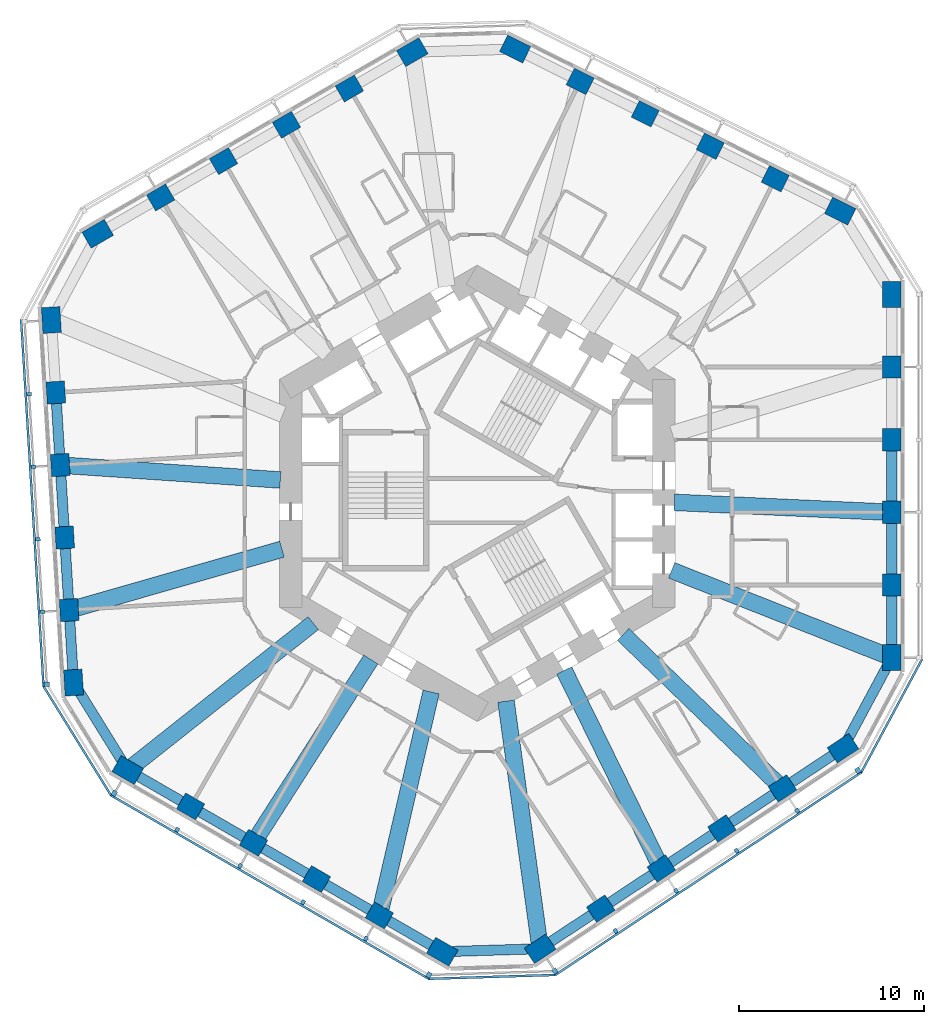
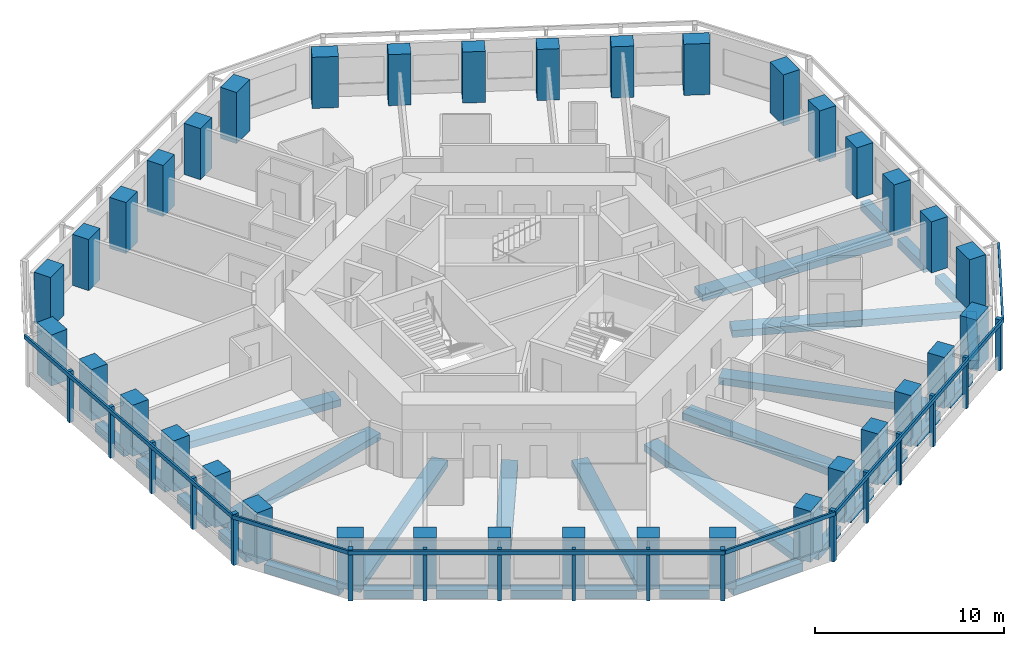
# One storey, part 1 of 12: 36 columns, 30 beams, 23 members, 6 elements without a shape of their own.
"""IFC4 building model written with IfcOpenShell, lengths in metres."""

from ifc_helpers import new_model, si_unit, direction, frame, origin, origin_2d, place, context, subcontext, project, spatial, rectangle, extrude, material, material_profile, profile_set, type_object, element, aggregate, save


model = new_model("IFC4")

# Units and contexts
model_context = context("Model", 3, precision=1e-05, world=origin(), true_north=direction((0.0, 1.0)))
body_context = subcontext(model_context, "Body", "Model", "MODEL_VIEW")
ifc_project = project(units=[si_unit("LENGTHUNIT", "METRE"), si_unit("AREAUNIT", "SQUARE_METRE"), si_unit("VOLUMEUNIT", "CUBIC_METRE"), si_unit("PLANEANGLEUNIT", "RADIAN"), si_unit("MASSUNIT", "GRAM", prefix="KILO")], contexts=[model_context])

# Site, building, storey
site_placement = place(None, origin())
site = spatial("IfcSite", under=ifc_project, at=site_placement, CompositionType="ELEMENT")
building_placement = place(site_placement, origin())
building = spatial("IfcBuilding", under=site, at=building_placement, Name="Vanh Sen Convention Tower", CompositionType="ELEMENT")
storey_placement = place(building_placement, frame((0.0, 0.0, 73.699951171875)))
storey = spatial("IfcBuildingStorey", under=building, at=storey_placement, Name="L16", CompositionType="ELEMENT", Elevation=73.699951171875)

# Columns
ifc_material_1 = material(Name="Concrete C80/95", Category="concrete")
ifc_material_profile_1 = material_profile(ifc_material_1, rectangle(XDim=1.199951171875, YDim=1.0, at=origin_2d()), Name="RC 1200X1000")
ifc_profile_set_1 = profile_set([ifc_material_profile_1], Name="Concrete C80/95")
column_type_1 = type_object("IfcColumnType", Name="Facade column 1200 x 1000 C80/95", PredefinedType="COLUMN", material=ifc_profile_set_1)
for number, where, z_axis, x_axis, name in (
    (1, (22.449951171875, -4.964599609375, 0.0), (0.0, 0.0, 1.0), (0.0, 1.0, 0.0), "Facade column 02 L16"),
    (2, (22.449951171875, -1.030029296875, 0.0), (0.0, 0.0, 1.0), (0.0, 1.0, 0.0), "Facade column 03 L16"),
    (3, (22.449951171875, 2.904541015625, 0.0), (0.0, 0.0, 1.0), (0.0, 1.0, 0.0), "Facade column 04 L16"),
    (4, (22.449951171875, 6.839111328125, 0.0), (0.0, 0.0, 1.0), (0.0, 1.0, 0.0), "Facade column 05 L16"),
    (5, (16.1376953125, 17.039794921875, 0.0), (0.0, 0.0, 1.0), (-0.894934361602, 0.44619781311, 0.0), "Facade column 08 L16"),
    (6, (12.616455078125, 18.79541015625, 0.0), (0.0, 0.0, 1.0), (-0.894934361602, 0.44619781311, 0.0), "Facade column 09 L16"),
    (7, (9.09521484375, 20.55078125, 0.0), (0.0, 0.0, 1.0), (-0.894934361602, 0.44619781311, 0.0), "Facade column 10 L16"),
    (8, (5.57421875, 22.306396484375, 0.0), (0.0, 0.0, 1.0), (-0.894934361602, 0.44619781311, 0.0), "Facade column 11 L16"),
    (9, (-6.925537109375, 21.924560546875, 0.0), (0.0, 0.0, 1.0), (-0.866025403784, -0.5, 0.0), "Facade column 14 L16"),
    (10, (-10.3330078125, 19.957275390625, 0.0), (0.0, 0.0, 1.0), (-0.866025403784, -0.5, 0.0), "Facade column 15 L16"),
    (11, (-13.740478515625, 17.989990234375, 0.0), (0.0, 0.0, 1.0), (-0.866025403784, -0.5, 0.0), "Facade column 16 L16"),
    (12, (-17.14794921875, 16.022705078125, 0.0), (0.0, 0.0, 1.0), (-0.866025403784, -0.5, 0.0), "Facade column 17 L16"),
    (13, (-22.82568359375, 5.455810546875, 0.0), (0.0, 0.0, 1.0), (0.061048539535, -0.998134798422, 0.0), "Facade column 20 L16"),
    (14, (-22.58544921875, 1.528564453125, 0.0), (0.0, 0.0, 1.0), (0.061048539535, -0.998134798422, 0.0), "Facade column 21 L16"),
    (15, (-22.34521484375, -2.398681640625, 0.0), (0.0, 0.0, 1.0), (0.061048539535, -0.998134798422, 0.0), "Facade column 22 L16"),
    (16, (-22.10498046875, -6.325927734375, 0.0), (0.0, 0.0, 1.0), (0.061048539535, -0.998134798422, 0.0), "Facade column 23 L16"),
    (17, (-15.5244140625, -16.9599609375, 0.0), (0.0, 0.0, 1.0), (0.866025403784, -0.5, 0.0), "Facade column 26 L16"),
    (18, (-12.1171875, -18.92724609375, 0.0), (0.0, 0.0, 1.0), (0.866025403784, -0.5, 0.0), "Facade column 27 L16"),
    (19, (-8.709716796875, -20.89453125, 0.0), (0.0, 0.0, 1.0), (0.866025403784, -0.5, 0.0), "Facade column 28 L16"),
    (20, (-5.302001953125, -22.86181640625, 0.0), (0.0, 0.0, 1.0), (0.866025403784, -0.5, 0.0), "Facade column 29 L16"),
    (21, (6.68798828125, -22.49560546875, 0.0), (0.0, 0.0, 1.0), (0.833885822067, 0.551936985312, 0.0), "Facade column 32 L16"),
    (22, (9.968994140625, -20.323974609375, 0.0), (0.0, 0.0, 1.0), (0.833885822067, 0.551936985312, 0.0), "Facade column 33 L16"),
    (23, (13.25, -18.152099609375, 0.0), (0.0, 0.0, 1.0), (0.833885822067, 0.551936985312, 0.0), "Facade column 34 L16"),
    (24, (16.531005859375, -15.980712890625, 0.0), (0.0, 0.0, 1.0), (0.833885822067, 0.551936985312, 0.0), "Facade column 35 L16"),
):
    element("IfcColumn", number, at=place(storey_placement, frame(where, z_axis=z_axis, x_axis=x_axis)), inside=storey, type_object=column_type_1, Name=name, PredefinedType="COLUMN", context=body_context, shape_type="SweptSolid", body=[
        extrude(rectangle(XDim=1.199951171875, YDim=1.0, at=origin_2d()), origin(), (0.0, 0.0, 1.0), 3.300048828125),
    ])
ifc_material_profile_2 = material_profile(ifc_material_1, rectangle(XDim=1.39990234375, YDim=1.0, at=origin_2d()), Name="RC 1400X1000")
ifc_profile_set_2 = profile_set([ifc_material_profile_2], Name="Concrete C80/95")
column_type_2 = type_object("IfcColumnType", Name="Facade corner column 1400 x 1000 C80/95", PredefinedType="COLUMN", material=ifc_profile_set_2)
for number, where, z_axis, x_axis, name in (
    (25, (22.449951171875, -8.899169921875, 0.0), (0.0, 0.0, 1.0), (0.0, 1.0, 0.0), "Facade column 01 L16"),
    (26, (22.449951171875, 10.773681640625, 0.0), (0.0, 0.0, 1.0), (0.0, 1.0, 0.0), "Facade column 06 L16"),
    (27, (19.658935546875, 15.2841796875, 0.0), (0.0, 0.0, 1.0), (-0.894934361602, 0.44619781311, 0.0), "Facade column 07 L16"),
    (28, (2.052978515625, 24.06201171875, 0.0), (0.0, 0.0, 1.0), (-0.894934361602, 0.44619781311, 0.0), "Facade column 12 L16"),
    (29, (-3.51806640625, 23.891845703125, 0.0), (0.0, 0.0, 1.0), (-0.866025403784, -0.5, 0.0), "Facade column 13 L16"),
    (30, (-20.555419921875, 14.055419921875, 0.0), (0.0, 0.0, 1.0), (-0.866025403784, -0.5, 0.0), "Facade column 18 L16"),
    (31, (-23.06591796875, 9.383056640625, 0.0), (0.0, 0.0, 1.0), (0.061048539535, -0.998134798422, 0.0), "Facade column 19 L16"),
    (32, (-21.86474609375, -10.253173828125, 0.0), (0.0, 0.0, 1.0), (0.061048539535, -0.998134798422, 0.0), "Facade column 24 L16"),
    (33, (-18.931884765625, -14.99267578125, 0.0), (0.0, 0.0, 1.0), (0.866025403784, -0.5, 0.0), "Facade column 25 L16"),
    (34, (-1.894775390625, -24.8291015625, 0.0), (0.0, 0.0, 1.0), (0.866025403784, -0.5, 0.0), "Facade column 30 L16"),
    (35, (3.406982421875, -24.6669921875, 0.0), (0.0, 0.0, 1.0), (0.833885822067, 0.551936985312, 0.0), "Facade column 31 L16"),
    (36, (19.81201171875, -13.808837890625, 0.0), (0.0, 0.0, 1.0), (0.833885822067, 0.551936985312, 0.0), "Facade column 36 L16"),
):
    element("IfcColumn", number, at=place(storey_placement, frame(where, z_axis=z_axis, x_axis=x_axis)), inside=storey, type_object=column_type_2, Name=name, PredefinedType="COLUMN", context=body_context, shape_type="SweptSolid", body=[
        extrude(rectangle(XDim=1.39990234375, YDim=1.0, at=origin_2d()), origin(), (0.0, 0.0, 1.0), 3.300048828125),
    ])

# Curtain wall, member
ifc_material_2 = material(Name="Concrete C50/60", Category="concrete")
curtain_wall_type = type_object("IfcCurtainWallType", Name="Outer skin hotel zone", PredefinedType="NOTDEFINED", material=ifc_material_2)
curtain_wall_1_placement = place(storey_placement, origin())
curtain_wall_1 = element("IfcCurtainWall", 37, at=curtain_wall_1_placement, inside=storey, type_object=curtain_wall_type, Name="OUTER SKIN W L16", PredefinedType="NOTDEFINED")
ifc_material_profile_3 = material_profile(ifc_material_2, rectangle(XDim=0.25, YDim=0.300048828125, at=origin_2d()), Name="Outer skin precast corner fin 250 x 300")
ifc_profile_set_3 = profile_set([ifc_material_profile_3], Name="Concrete C50/60")
member_type_1 = type_object("IfcMemberType", Name="Outer skin precast corner fin 250 x 300", PredefinedType="MULLION", material=ifc_profile_set_3)
member_1_placement = place(storey_placement, frame((-23.31201171875, -10.341796875, 0.0), z_axis=(0.0, 0.0, 1.0), x_axis=(0.061048539535, -0.998134798422, 0.0)))
member_1 = element("IfcMember", 38, at=member_1_placement, type_object=member_type_1, Name="OUTER SKIN CORNER FIN 6 W L16", PredefinedType="MULLION", context=body_context, shape_type="SweptSolid", body=[
    extrude(rectangle(XDim=0.25, YDim=0.300048828125, at=origin_2d()), origin(), (0.0, 0.0, 1.0), 3.300048828125),
])

# Curtain wall, members
curtain_wall_2_placement = place(storey_placement, origin())
curtain_wall_2 = element("IfcCurtainWall", 39, at=curtain_wall_2_placement, inside=storey, type_object=curtain_wall_type, Name="OUTER SKIN SW L16", PredefinedType="NOTDEFINED")
member_2_placement = place(storey_placement, frame((-19.656982421875, -16.248291015625, 0.0), z_axis=(0.0, 0.0, 1.0), x_axis=(0.866025403784, -0.5, 0.0)))
member_2 = element("IfcMember", 40, at=member_2_placement, type_object=member_type_1, Name="OUTER SKIN CORNER FIN 1 SW L16", PredefinedType="MULLION", context=body_context, shape_type="SweptSolid", body=[
    extrude(rectangle(XDim=0.25, YDim=0.300048828125, at=origin_2d()), origin(), (0.0, 0.0, 1.0), 3.300048828125),
])
member_3_placement = place(storey_placement, frame((-2.61962890625, -26.084716796875, 0.0), z_axis=(0.0, 0.0, 1.0), x_axis=(0.866025403784, -0.5, 0.0)))
member_3 = element("IfcMember", 41, at=member_3_placement, type_object=member_type_1, Name="OUTER SKIN CORNER FIN 6 SW L16", PredefinedType="MULLION", context=body_context, shape_type="SweptSolid", body=[
    extrude(rectangle(XDim=0.25, YDim=0.300048828125, at=origin_2d()), origin(), (0.0, 0.0, 1.0), 3.300048828125),
])

curtain_wall_3_placement = place(storey_placement, origin())
curtain_wall_3 = element("IfcCurtainWall", 42, at=curtain_wall_3_placement, inside=storey, type_object=curtain_wall_type, Name="OUTER SKIN SE L16", PredefinedType="NOTDEFINED")
member_4_placement = place(storey_placement, frame((4.207275390625, -25.876220703125, 0.0), z_axis=(0.0, 0.0, 1.0), x_axis=(0.833885822067, 0.551936985312, 0.0)))
member_4 = element("IfcMember", 43, at=member_4_placement, type_object=member_type_1, Name="OUTER SKIN CORNER FIN 1 SE L16", PredefinedType="MULLION", context=body_context, shape_type="SweptSolid", body=[
    extrude(rectangle(XDim=0.25, YDim=0.300048828125, at=origin_2d()), origin(), (0.0, 0.0, 1.0), 3.300048828125),
])
member_5_placement = place(storey_placement, frame((20.6123046875, -15.01806640625, 0.0), z_axis=(0.0, 0.0, 1.0), x_axis=(0.833885822067, 0.551936985312, 0.0)))
member_5 = element("IfcMember", 44, at=member_5_placement, type_object=member_type_1, Name="OUTER SKIN CORNER FIN 6 SE L16", PredefinedType="MULLION", context=body_context, shape_type="SweptSolid", body=[
    extrude(rectangle(XDim=0.25, YDim=0.300048828125, at=origin_2d()), origin(), (0.0, 0.0, 1.0), 3.300048828125),
])

# Member
ifc_material_profile_4 = material_profile(ifc_material_2, rectangle(XDim=0.199951171875, YDim=0.25, at=origin_2d()), Name="Outer skin precast fin 200 x 250")
ifc_profile_set_4 = profile_set([ifc_material_profile_4], Name="Concrete C50/60")
member_type_2 = type_object("IfcMemberType", Name="Outer skin precast fin 200 x 250", PredefinedType="MULLION", material=ifc_profile_set_4)
member_6_placement = place(storey_placement, frame((-24.27294921875, 5.3671875, 0.0), z_axis=(0.0, 0.0, 1.0), x_axis=(0.061048539535, -0.998134798422, 0.0)))
member_6 = element("IfcMember", 45, at=member_6_placement, type_object=member_type_2, Name="OUTER SKIN fin 2 W L16", PredefinedType="MULLION", context=body_context, shape_type="SweptSolid", body=[
    extrude(rectangle(XDim=0.199951171875, YDim=0.25, at=origin_2d()), origin(), (0.0, 0.0, 1.0), 3.300048828125),
])

member_7_placement = place(storey_placement, frame((-24.03271484375, 1.440185546875, 0.0), z_axis=(0.0, 0.0, 1.0), x_axis=(0.061048539535, -0.998134798422, 0.0)))
member_7 = element("IfcMember", 46, at=member_7_placement, type_object=member_type_2, Name="OUTER SKIN fin 3 W L16", PredefinedType="MULLION", context=body_context, shape_type="SweptSolid", body=[
    extrude(rectangle(XDim=0.199951171875, YDim=0.25, at=origin_2d()), origin(), (0.0, 0.0, 1.0), 3.300048828125),
])

member_8_placement = place(storey_placement, frame((-23.79248046875, -2.4873046875, 0.0), z_axis=(0.0, 0.0, 1.0), x_axis=(0.061048539535, -0.998134798422, 0.0)))
member_8 = element("IfcMember", 47, at=member_8_placement, type_object=member_type_2, Name="OUTER SKIN fin 4 W L16", PredefinedType="MULLION", context=body_context, shape_type="SweptSolid", body=[
    extrude(rectangle(XDim=0.199951171875, YDim=0.25, at=origin_2d()), origin(), (0.0, 0.0, 1.0), 3.300048828125),
])

member_9_placement = place(storey_placement, frame((-23.55224609375, -6.414306640625, 0.0), z_axis=(0.0, 0.0, 1.0), x_axis=(0.061048539535, -0.998134798422, 0.0)))
member_9 = element("IfcMember", 48, at=member_9_placement, type_object=member_type_2, Name="OUTER SKIN fin 5 W L16", PredefinedType="MULLION", context=body_context, shape_type="SweptSolid", body=[
    extrude(rectangle(XDim=0.199951171875, YDim=0.25, at=origin_2d()), origin(), (0.0, 0.0, 1.0), 3.300048828125),
])

member_10_placement = place(storey_placement, frame((-16.24951171875, -18.2158203125, 0.0), z_axis=(0.0, 0.0, 1.0), x_axis=(0.866025403784, -0.5, 0.0)))
member_10 = element("IfcMember", 49, at=member_10_placement, type_object=member_type_2, Name="OUTER SKIN fin 2 SW L16", PredefinedType="MULLION", context=body_context, shape_type="SweptSolid", body=[
    extrude(rectangle(XDim=0.199951171875, YDim=0.25, at=origin_2d()), origin(), (0.0, 0.0, 1.0), 3.300048828125),
])

member_11_placement = place(storey_placement, frame((-12.842041015625, -20.182861328125, 0.0), z_axis=(0.0, 0.0, 1.0), x_axis=(0.866025403784, -0.5, 0.0)))
member_11 = element("IfcMember", 50, at=member_11_placement, type_object=member_type_2, Name="OUTER SKIN fin 3 SW L16", PredefinedType="MULLION", context=body_context, shape_type="SweptSolid", body=[
    extrude(rectangle(XDim=0.199951171875, YDim=0.25, at=origin_2d()), origin(), (0.0, 0.0, 1.0), 3.300048828125),
])

member_12_placement = place(storey_placement, frame((-9.4345703125, -22.150146484375, 0.0), z_axis=(0.0, 0.0, 1.0), x_axis=(0.866025403784, -0.5, 0.0)))
member_12 = element("IfcMember", 51, at=member_12_placement, type_object=member_type_2, Name="OUTER SKIN fin 4 SW L16", PredefinedType="MULLION", context=body_context, shape_type="SweptSolid", body=[
    extrude(rectangle(XDim=0.199951171875, YDim=0.25, at=origin_2d()), origin(), (0.0, 0.0, 1.0), 3.300048828125),
])

member_13_placement = place(storey_placement, frame((-6.027099609375, -24.117431640625, 0.0), z_axis=(0.0, 0.0, 1.0), x_axis=(0.866025403784, -0.5, 0.0)))
member_13 = element("IfcMember", 52, at=member_13_placement, type_object=member_type_2, Name="OUTER SKIN fin 5 SW L16", PredefinedType="MULLION", context=body_context, shape_type="SweptSolid", body=[
    extrude(rectangle(XDim=0.199951171875, YDim=0.25, at=origin_2d()), origin(), (0.0, 0.0, 1.0), 3.300048828125),
])

member_14_placement = place(storey_placement, frame((7.48828125, -23.70458984375, 0.0), z_axis=(0.0, 0.0, 1.0), x_axis=(0.833885822067, 0.551936985312, 0.0)))
member_14 = element("IfcMember", 53, at=member_14_placement, type_object=member_type_2, Name="OUTER SKIN fin 2 SE L16", PredefinedType="MULLION", context=body_context, shape_type="SweptSolid", body=[
    extrude(rectangle(XDim=0.199951171875, YDim=0.25, at=origin_2d()), origin(), (0.0, 0.0, 1.0), 3.300048828125),
])

member_15_placement = place(storey_placement, frame((10.769287109375, -21.532958984375, 0.0), z_axis=(0.0, 0.0, 1.0), x_axis=(0.833885822067, 0.551936985312, 0.0)))
member_15 = element("IfcMember", 54, at=member_15_placement, type_object=member_type_2, Name="OUTER SKIN fin 3 SE L16", PredefinedType="MULLION", context=body_context, shape_type="SweptSolid", body=[
    extrude(rectangle(XDim=0.199951171875, YDim=0.25, at=origin_2d()), origin(), (0.0, 0.0, 1.0), 3.300048828125),
])

member_16_placement = place(storey_placement, frame((14.05029296875, -19.361328125, 0.0), z_axis=(0.0, 0.0, 1.0), x_axis=(0.833885822067, 0.551936985312, 0.0)))
member_16 = element("IfcMember", 55, at=member_16_placement, type_object=member_type_2, Name="OUTER SKIN fin 4 SE L16", PredefinedType="MULLION", context=body_context, shape_type="SweptSolid", body=[
    extrude(rectangle(XDim=0.199951171875, YDim=0.25, at=origin_2d()), origin(), (0.0, 0.0, 1.0), 3.300048828125),
])

member_17_placement = place(storey_placement, frame((17.331298828125, -17.189697265625, 0.0), z_axis=(0.0, 0.0, 1.0), x_axis=(0.833885822067, 0.551936985312, 0.0)))
member_17 = element("IfcMember", 56, at=member_17_placement, type_object=member_type_2, Name="OUTER SKIN fin 5 SE L16", PredefinedType="MULLION", context=body_context, shape_type="SweptSolid", body=[
    extrude(rectangle(XDim=0.199951171875, YDim=0.25, at=origin_2d()), origin(), (0.0, 0.0, 1.0), 3.300048828125),
])

ifc_material_profile_5 = material_profile(ifc_material_2, rectangle(XDim=0.1201171875, YDim=0.25, at=origin_2d()), Name="Outer skin precast spandrel band 250 x 120")
ifc_profile_set_5 = profile_set([ifc_material_profile_5], Name="Concrete C50/60")
member_type_3 = type_object("IfcMemberType", Name="Outer skin precast spandrel band 250 x 120", PredefinedType="USERDEFINED", material=ifc_profile_set_5)
member_18_placement = place(storey_placement, frame((-24.705322265625, 9.408203125, 3.175048828125), z_axis=(0.061050017989, -0.998134707995, 0.0), x_axis=(0.998134707995, 0.061050017989, 0.0)))
member_18 = element("IfcMember", 57, at=member_18_placement, type_object=member_type_3, Name="OUTER SKIN spandrel band W L16", ObjectType="TRANSOM", PredefinedType="USERDEFINED", context=body_context, shape_type="SweptSolid", body=[
    extrude(rectangle(XDim=0.1201171875, YDim=0.25, at=origin_2d()), origin(), (0.0, 0.0, 1.0), 19.923095703125),
])

aggregate(curtain_wall_1, [member_6, member_7, member_8, member_9, member_1, member_18])

# Curtain wall, member
curtain_wall_4_placement = place(storey_placement, origin())
curtain_wall_4 = element("IfcCurtainWall", 58, at=curtain_wall_4_placement, inside=storey, type_object=curtain_wall_type, Name="OUTER SKIN CH4 L16", PredefinedType="NOTDEFINED")
member_19_placement = place(storey_placement, frame((-23.49072265625, -10.4521484375, 3.175048828125), z_axis=(0.526196095141, -0.850363257354, 0.0), x_axis=(0.850363257354, 0.526196095141, 0.0)))
member_19 = element("IfcMember", 59, at=member_19_placement, type_object=member_type_3, Name="OUTER SKIN spandrel band CH4 L16", ObjectType="TRANSOM", PredefinedType="USERDEFINED", context=body_context, shape_type="SweptSolid", body=[
    extrude(rectangle(XDim=0.1201171875, YDim=0.25, at=origin_2d()), origin(), (0.0, 0.0, 1.0), 6.946044921875),
])
aggregate(curtain_wall_4, [member_19])

# Member
member_20_placement = place(storey_placement, frame((-19.85791015625, -16.34619140625, 3.175048828125), z_axis=(0.866028047459, -0.499995420993, 0.0), x_axis=(0.499995420993, 0.866028047459, 0.0)))
member_20 = element("IfcMember", 60, at=member_20_placement, type_object=member_type_3, Name="OUTER SKIN spandrel band SW L16", ObjectType="TRANSOM", PredefinedType="USERDEFINED", context=body_context, shape_type="SweptSolid", body=[
    extrude(rectangle(XDim=0.1201171875, YDim=0.25, at=origin_2d()), origin(), (0.0, 0.0, 1.0), 19.923095703125),
])

aggregate(curtain_wall_2, [member_2, member_10, member_11, member_12, member_13, member_3, member_20])

# Curtain wall, member
curtain_wall_5_placement = place(storey_placement, origin())
curtain_wall_5 = element("IfcCurtainWall", 61, at=curtain_wall_5_placement, inside=storey, type_object=curtain_wall_type, Name="OUTER SKIN CH5 L16", PredefinedType="NOTDEFINED")
member_21_placement = place(storey_placement, frame((-2.61328125, -26.294677734375, 3.175048828125), z_axis=(0.99953396928, 0.030526124156, 0.0), x_axis=(-0.030526124156, 0.99953396928, 0.0)))
member_21 = element("IfcMember", 62, at=member_21_placement, type_object=member_type_3, Name="OUTER SKIN spandrel band CH5 L16", ObjectType="TRANSOM", PredefinedType="USERDEFINED", context=body_context, shape_type="SweptSolid", body=[
    extrude(rectangle(XDim=0.1201171875, YDim=0.25, at=origin_2d()), origin(), (0.0, 0.0, 1.0), 6.830078125),
])
aggregate(curtain_wall_5, [member_21])

# Member
member_22_placement = place(storey_placement, frame((4.205078125, -26.099609375, 3.175048828125), z_axis=(0.833883851182, 0.551939962984, 0.0), x_axis=(-0.551939962984, 0.833883851182, 0.0)))
member_22 = element("IfcMember", 63, at=member_22_placement, type_object=member_type_3, Name="OUTER SKIN spandrel band SE L16", ObjectType="TRANSOM", PredefinedType="USERDEFINED", context=body_context, shape_type="SweptSolid", body=[
    extrude(rectangle(XDim=0.1201171875, YDim=0.25, at=origin_2d()), origin(), (0.0, 0.0, 1.0), 19.923095703125),
])

aggregate(curtain_wall_3, [member_4, member_14, member_15, member_16, member_17, member_5, member_22])

# Curtain wall, member
curtain_wall_6_placement = place(storey_placement, origin())
curtain_wall_6 = element("IfcCurtainWall", 64, at=curtain_wall_6_placement, inside=storey, type_object=curtain_wall_type, Name="OUTER SKIN CH6 L16", PredefinedType="NOTDEFINED")
member_23_placement = place(storey_placement, frame((20.797119140625, -15.117431640625, 3.175048828125), z_axis=(0.473324148816, 0.880888330123, 0.0), x_axis=(-0.880888330123, 0.473324148816, 0.0)))
member_23 = element("IfcMember", 65, at=member_23_placement, type_object=member_type_3, Name="OUTER SKIN spandrel band CH6 L16", ObjectType="TRANSOM", PredefinedType="USERDEFINED", context=body_context, shape_type="SweptSolid", body=[
    extrude(rectangle(XDim=0.1201171875, YDim=0.25, at=origin_2d()), origin(), (0.0, 0.0, 1.0), 6.9462890625),
])
aggregate(curtain_wall_6, [member_23])

# Beams
ifc_material_3 = material(Name="Concrete C50/60", Category="concrete")
ifc_material_profile_6 = material_profile(ifc_material_3, rectangle(XDim=0.89990234375, YDim=0.449951171875, at=origin_2d()), Name="RC 900X450")
ifc_profile_set_6 = profile_set([ifc_material_profile_6], Name="Concrete C50/60")
beam_type_1 = type_object("IfcBeamType", Name="Radial floor beam 900 x 450", PredefinedType="BEAM", material=ifc_profile_set_6)
beam_1_placement = place(storey_placement, frame((22.12060546875, -8.7685546875, -0.474853515625), z_axis=(-0.929625441153, 0.368505819713, 0.0), x_axis=(-0.368505819713, -0.929625441153, 0.0)))
element("IfcBeam", 66, at=beam_1_placement, inside=storey, type_object=beam_type_1, Name="Radial beam 01 L16", PredefinedType="BEAM", context=body_context, shape_type="SweptSolid", body=[
    extrude(rectangle(XDim=0.89990234375, YDim=0.449951171875, at=origin_2d()), origin(), (0.0, 0.0, 1.0), 12.468505859375),
])
beam_2_placement = place(storey_placement, frame((21.9755859375, -1.00830078125, -0.474853515625), z_axis=(-0.998948959247, 0.045836413684, 0.0), x_axis=(-0.045836413684, -0.998948959247, 0.0)))
element("IfcBeam", 67, at=beam_2_placement, inside=storey, type_object=beam_type_1, Name="Radial beam 02 L16", PredefinedType="BEAM", context=body_context, shape_type="SweptSolid", body=[
    extrude(rectangle(XDim=0.89990234375, YDim=0.449951171875, at=origin_2d()), origin(), (0.0, 0.0, 1.0), 11.313232421875),
])
beam_3_placement = place(storey_placement, frame((-22.1455078125, 1.498779296875, -0.474853515625), z_axis=(0.997717146338, -0.067531443814, 0.0), x_axis=(0.067531443814, 0.997717146338, 0.0)))
element("IfcBeam", 68, at=beam_3_placement, inside=storey, type_object=beam_type_1, Name="Radial beam 11 L16", PredefinedType="BEAM", context=body_context, shape_type="SweptSolid", body=[
    extrude(rectangle(XDim=0.89990234375, YDim=0.449951171875, at=origin_2d()), origin(), (0.0, 0.0, 1.0), 11.50732421875),
])
beam_4_placement = place(storey_placement, frame((-21.713134765625, -6.2138671875, -0.474853515625), z_axis=(0.96140779783, 0.27512732738, 0.0), x_axis=(-0.27512732738, 0.96140779783, 0.0)))
element("IfcBeam", 69, at=beam_4_placement, inside=storey, type_object=beam_type_1, Name="Radial beam 12 L16", PredefinedType="BEAM", context=body_context, shape_type="SweptSolid", body=[
    extrude(rectangle(XDim=0.89990234375, YDim=0.449951171875, at=origin_2d()), origin(), (0.0, 0.0, 1.0), 11.589111328125),
])
beam_5_placement = place(storey_placement, frame((-18.654052734375, -14.772705078125, -0.474853515625), z_axis=(0.783950127039, 0.620823806177, 0.0), x_axis=(-0.620823806177, 0.783950127039, 0.0)))
element("IfcBeam", 70, at=beam_5_placement, inside=storey, type_object=beam_type_1, Name="Radial beam 13 L16", PredefinedType="BEAM", context=body_context, shape_type="SweptSolid", body=[
    extrude(rectangle(XDim=0.89990234375, YDim=0.449951171875, at=origin_2d()), origin(), (0.0, 0.0, 1.0), 12.468505859375),
])
beam_6_placement = place(storey_placement, frame((-11.861083984375, -18.52734375, -0.474853515625), z_axis=(0.539166370538, 0.842199278604, 0.0), x_axis=(-0.842199278604, 0.539166370538, 0.0)))
element("IfcBeam", 71, at=beam_6_placement, inside=storey, type_object=beam_type_1, Name="Radial beam 14 L16", PredefinedType="BEAM", context=body_context, shape_type="SweptSolid", body=[
    extrude(rectangle(XDim=0.89990234375, YDim=0.449951171875, at=origin_2d()), origin(), (0.0, 0.0, 1.0), 11.31298828125),
])
beam_7_placement = place(storey_placement, frame((-5.216064453125, -22.4912109375, -0.474853515625), z_axis=(0.225903026676, 0.974149794713, 0.0), x_axis=(-0.974149794713, 0.225903026676, 0.0)))
element("IfcBeam", 72, at=beam_7_placement, inside=storey, type_object=beam_type_1, Name="Radial beam 15 L16", PredefinedType="BEAM", context=body_context, shape_type="SweptSolid", body=[
    extrude(rectangle(XDim=0.89990234375, YDim=0.449951171875, at=origin_2d()), origin(), (0.0, 0.0, 1.0), 12.044677734375),
])
beam_8_placement = place(storey_placement, frame((3.361328125, -24.336669921875, -0.474853515625), z_axis=(-0.13682259219, 0.990595567457, 0.0), x_axis=(-0.990595567457, -0.13682259219, 0.0)))
element("IfcBeam", 73, at=beam_8_placement, inside=storey, type_object=beam_type_1, Name="Radial beam 16 L16", PredefinedType="BEAM", context=body_context, shape_type="SweptSolid", body=[
    extrude(rectangle(XDim=0.89990234375, YDim=0.449951171875, at=origin_2d()), origin(), (0.0, 0.0, 1.0), 13.204345703125),
])
beam_9_placement = place(storey_placement, frame((9.774658203125, -19.927978515625, -0.474853515625), z_axis=(-0.440368849839, 0.897816950214, 0.0), x_axis=(-0.897816950214, -0.440368849839, 0.0)))
element("IfcBeam", 74, at=beam_9_placement, inside=storey, type_object=beam_type_1, Name="Radial beam 17 L16", PredefinedType="BEAM", context=body_context, shape_type="SweptSolid", body=[
    extrude(rectangle(XDim=0.89990234375, YDim=0.449951171875, at=origin_2d()), origin(), (0.0, 0.0, 1.0), 11.507080078125),
])
beam_10_placement = place(storey_placement, frame((16.23779296875, -15.697265625, -0.474853515625), z_axis=(-0.71897118158, 0.69503988379, 0.0), x_axis=(-0.69503988379, -0.71897118158, 0.0)))
element("IfcBeam", 75, at=beam_10_placement, inside=storey, type_object=beam_type_1, Name="Radial beam 18 L16", PredefinedType="BEAM", context=body_context, shape_type="SweptSolid", body=[
    extrude(rectangle(XDim=0.89990234375, YDim=0.449951171875, at=origin_2d()), origin(), (0.0, 0.0, 1.0), 11.589111328125),
])
ifc_material_profile_7 = material_profile(ifc_material_3, rectangle(XDim=0.550048828125, YDim=0.550048828125, at=origin_2d()), Name="RC 550X550")
ifc_profile_set_7 = profile_set([ifc_material_profile_7], Name="Concrete C50/60")
beam_type_2 = type_object("IfcBeamType", Name="Spandrel beam 550 x 550", PredefinedType="SPANDREL", material=ifc_profile_set_7)
beam_11_placement = place(storey_placement, frame((22.449951171875, -8.2041015625, -0.52490234375), z_axis=(0.0, 1.0, 0.0), x_axis=(-1.0, 0.0, 0.0)))
element("IfcBeam", 76, at=beam_11_placement, inside=storey, type_object=beam_type_2, Name="Spandrel beam 01 L16", PredefinedType="SPANDREL", context=body_context, shape_type="SweptSolid", body=[
    extrude(rectangle(XDim=0.550048828125, YDim=0.550048828125, at=origin_2d()), origin(), (0.0, 0.0, 1.0), 2.64453125),
])
for number, where, z_axis, x_axis, name in (
    (77, (22.449951171875, -4.36962890625, -0.52490234375), (0.0, 1.0, 0.0), (-1.0, 0.0, 0.0), "Spandrel beam 02 L16"),
    (78, (22.449951171875, -0.43505859375, -0.52490234375), (0.0, 1.0, 0.0), (-1.0, 0.0, 0.0), "Spandrel beam 03 L16"),
):
    element("IfcBeam", number, at=place(storey_placement, frame(where, z_axis=z_axis, x_axis=x_axis)), inside=storey, type_object=beam_type_2, Name=name, PredefinedType="SPANDREL", context=body_context, shape_type="SweptSolid", body=[
        extrude(rectangle(XDim=0.550048828125, YDim=0.550048828125, at=origin_2d()), origin(), (0.0, 0.0, 1.0), 2.74462890625),
    ])
beam_12_placement = place(storey_placement, frame((-22.789306640625, 4.86181640625, -0.52490234375), z_axis=(0.061115489467, -0.998130701335, 0.0), x_axis=(0.998130701335, 0.061115489467, 0.0)))
element("IfcBeam", 79, at=beam_12_placement, inside=storey, type_object=beam_type_2, Name="Spandrel beam 20 L16", PredefinedType="SPANDREL", context=body_context, shape_type="SweptSolid", body=[
    extrude(rectangle(XDim=0.550048828125, YDim=0.550048828125, at=origin_2d()), origin(), (0.0, 0.0, 1.0), 2.744384765625),
])
beam_13_placement = place(storey_placement, frame((-22.549072265625, 0.934814453125, -0.52490234375), z_axis=(0.061021442686, -0.998136455367, 0.0), x_axis=(0.998136455367, 0.061021442686, 0.0)))
element("IfcBeam", 80, at=beam_13_placement, inside=storey, type_object=beam_type_2, Name="Spandrel beam 21 L16", PredefinedType="SPANDREL", context=body_context, shape_type="SweptSolid", body=[
    extrude(rectangle(XDim=0.550048828125, YDim=0.550048828125, at=origin_2d()), origin(), (0.0, 0.0, 1.0), 2.74462890625),
])
beam_14_placement = place(storey_placement, frame((-22.308837890625, -2.99267578125, -0.52490234375), z_axis=(0.061026861063, -0.998136124098, 0.0), x_axis=(0.998136124098, 0.061026861063, 0.0)))
element("IfcBeam", 81, at=beam_14_placement, inside=storey, type_object=beam_type_2, Name="Spandrel beam 22 L16", PredefinedType="SPANDREL", context=body_context, shape_type="SweptSolid", body=[
    extrude(rectangle(XDim=0.550048828125, YDim=0.550048828125, at=origin_2d()), origin(), (0.0, 0.0, 1.0), 2.744384765625),
])
beam_15_placement = place(storey_placement, frame((-22.068603515625, -6.919921875, -0.52490234375), z_axis=(0.061021844318, -0.998136430813, 0.0), x_axis=(0.998136430813, 0.061021844318, 0.0)))
element("IfcBeam", 82, at=beam_15_placement, inside=storey, type_object=beam_type_2, Name="Spandrel beam 23 L16", PredefinedType="SPANDREL", context=body_context, shape_type="SweptSolid", body=[
    extrude(rectangle(XDim=0.550048828125, YDim=0.550048828125, at=origin_2d()), origin(), (0.0, 0.0, 1.0), 2.64453125),
])
beam_16_placement = place(storey_placement, frame((-21.580810546875, -10.7119140625, -0.52490234375), z_axis=(0.526190044311, -0.850367001516, 0.0), x_axis=(0.850367001516, 0.526190044311, 0.0)))
element("IfcBeam", 83, at=beam_16_placement, inside=storey, type_object=beam_type_2, Name="Spandrel beam 24 L16", PredefinedType="SPANDREL", context=body_context, shape_type="SweptSolid", body=[
    extrude(rectangle(XDim=0.550048828125, YDim=0.550048828125, at=origin_2d()), origin(), (0.0, 0.0, 1.0), 4.49462890625),
])
beam_17_placement = place(storey_placement, frame((-18.330078125, -15.340087890625, -0.52490234375), z_axis=(0.865990340526, -0.500060726429, 0.0), x_axis=(0.500060726429, 0.865990340526, 0.0)))
element("IfcBeam", 84, at=beam_17_placement, inside=storey, type_object=beam_type_2, Name="Spandrel beam 25 L16", PredefinedType="SPANDREL", context=body_context, shape_type="SweptSolid", body=[
    extrude(rectangle(XDim=0.550048828125, YDim=0.550048828125, at=origin_2d()), origin(), (0.0, 0.0, 1.0), 2.644775390625),
])
for number, where, z_axis, x_axis, name in (
    (85, (-15.00927734375, -17.257568359375, -0.52490234375), (0.866067086513, -0.499927796446, 0.0), (0.499927796446, 0.866067086513, 0.0), "Spandrel beam 26 L16"),
    (86, (-11.601806640625, -19.224609375, -0.52490234375), (0.866028570666, -0.499994514761, 0.0), (0.499994514761, 0.866028570666, 0.0), "Spandrel beam 27 L16"),
    (87, (-8.1943359375, -21.19189453125, -0.52490234375), (0.866028570666, -0.499994514761, 0.0), (0.499994514761, 0.866028570666, 0.0), "Spandrel beam 28 L16"),
):
    element("IfcBeam", number, at=place(storey_placement, frame(where, z_axis=z_axis, x_axis=x_axis)), inside=storey, type_object=beam_type_2, Name=name, PredefinedType="SPANDREL", context=body_context, shape_type="SweptSolid", body=[
        extrude(rectangle(XDim=0.550048828125, YDim=0.550048828125, at=origin_2d()), origin(), (0.0, 0.0, 1.0), 2.74462890625),
    ])
beam_18_placement = place(storey_placement, frame((-4.786865234375, -23.1591796875, -0.52490234375), z_axis=(0.865990340526, -0.500060726429, 0.0), x_axis=(0.500060726429, 0.865990340526, 0.0)))
element("IfcBeam", 88, at=beam_18_placement, inside=storey, type_object=beam_type_2, Name="Spandrel beam 29 L16", PredefinedType="SPANDREL", context=body_context, shape_type="SweptSolid", body=[
    extrude(rectangle(XDim=0.550048828125, YDim=0.550048828125, at=origin_2d()), origin(), (0.0, 0.0, 1.0), 2.644775390625),
])
beam_19_placement = place(storey_placement, frame((-1.394287109375, -24.813720703125, -0.52490234375), z_axis=(0.999533914545, 0.030527916323, 0.0), x_axis=(-0.030527916323, 0.999533914545, 0.0)))
element("IfcBeam", 89, at=beam_19_placement, inside=storey, type_object=beam_type_2, Name="Spandrel beam 30 L16", PredefinedType="SPANDREL", context=body_context, shape_type="SweptSolid", body=[
    extrude(rectangle(XDim=0.550048828125, YDim=0.550048828125, at=origin_2d()), origin(), (0.0, 0.0, 1.0), 4.302490234375),
])
beam_20_placement = place(storey_placement, frame((3.986572265625, -24.283447265625, -0.52490234375), z_axis=(0.833892212548, 0.551927330227, 0.0), x_axis=(-0.551927330227, 0.833892212548, 0.0)))
element("IfcBeam", 90, at=beam_20_placement, inside=storey, type_object=beam_type_2, Name="Spandrel beam 31 L16", PredefinedType="SPANDREL", context=body_context, shape_type="SweptSolid", body=[
    extrude(rectangle(XDim=0.550048828125, YDim=0.550048828125, at=origin_2d()), origin(), (0.0, 0.0, 1.0), 2.644287109375),
])
beam_21_placement = place(storey_placement, frame((7.18408203125, -22.1669921875, -0.52490234375), z_axis=(0.833906917805, 0.551905111805, 0.0), x_axis=(-0.551905111805, 0.833906917805, 0.0)))
element("IfcBeam", 91, at=beam_21_placement, inside=storey, type_object=beam_type_2, Name="Spandrel beam 32 L16", PredefinedType="SPANDREL", context=body_context, shape_type="SweptSolid", body=[
    extrude(rectangle(XDim=0.550048828125, YDim=0.550048828125, at=origin_2d()), origin(), (0.0, 0.0, 1.0), 2.744384765625),
])
beam_22_placement = place(storey_placement, frame((10.465087890625, -19.99560546875, -0.52490234375), z_axis=(0.833865974996, 0.551966969794, 0.0), x_axis=(-0.551966969794, 0.833865974996, 0.0)))
element("IfcBeam", 92, at=beam_22_placement, inside=storey, type_object=beam_type_2, Name="Spandrel beam 33 L16", PredefinedType="SPANDREL", context=body_context, shape_type="SweptSolid", body=[
    extrude(rectangle(XDim=0.550048828125, YDim=0.550048828125, at=origin_2d()), origin(), (0.0, 0.0, 1.0), 2.74462890625),
])
beam_23_placement = place(storey_placement, frame((13.74609375, -17.82373046875, -0.52490234375), z_axis=(0.833906917805, 0.551905111805, 0.0), x_axis=(-0.551905111805, 0.833906917805, 0.0)))
element("IfcBeam", 93, at=beam_23_placement, inside=storey, type_object=beam_type_2, Name="Spandrel beam 34 L16", PredefinedType="SPANDREL", context=body_context, shape_type="SweptSolid", body=[
    extrude(rectangle(XDim=0.550048828125, YDim=0.550048828125, at=origin_2d()), origin(), (0.0, 0.0, 1.0), 2.744384765625),
])
beam_24_placement = place(storey_placement, frame((17.027099609375, -15.652099609375, -0.52490234375), z_axis=(0.833877845886, 0.551949035819, 0.0), x_axis=(-0.551949035819, 0.833877845886, 0.0)))
element("IfcBeam", 94, at=beam_24_placement, inside=storey, type_object=beam_type_2, Name="Spandrel beam 35 L16", PredefinedType="SPANDREL", context=body_context, shape_type="SweptSolid", body=[
    extrude(rectangle(XDim=0.550048828125, YDim=0.550048828125, at=origin_2d()), origin(), (0.0, 0.0, 1.0), 2.644775390625),
])
beam_25_placement = place(storey_placement, frame((20.0673828125, -13.33349609375, -0.52490234375), z_axis=(0.473312454828, 0.880894613507, 0.0), x_axis=(-0.880894613507, 0.473312454828, 0.0)))
element("IfcBeam", 95, at=beam_25_placement, inside=storey, type_object=beam_type_2, Name="Spandrel beam 36 L16", PredefinedType="SPANDREL", context=body_context, shape_type="SweptSolid", body=[
    extrude(rectangle(XDim=0.550048828125, YDim=0.550048828125, at=origin_2d()), origin(), (0.0, 0.0, 1.0), 4.494384765625),
])

save(model, "model.ifc")
